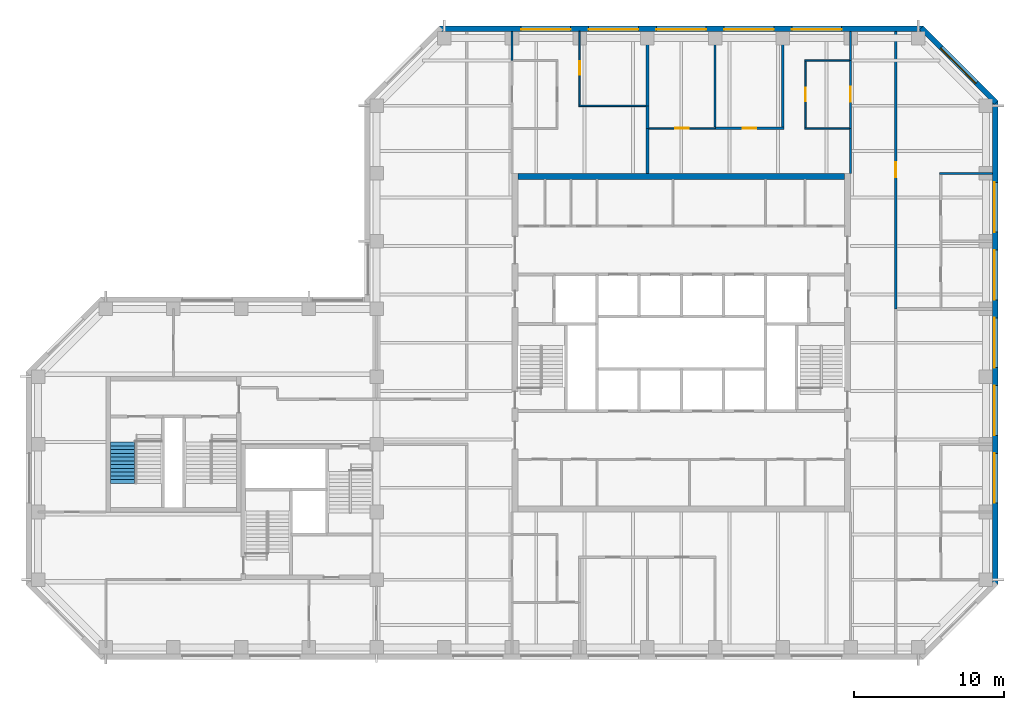
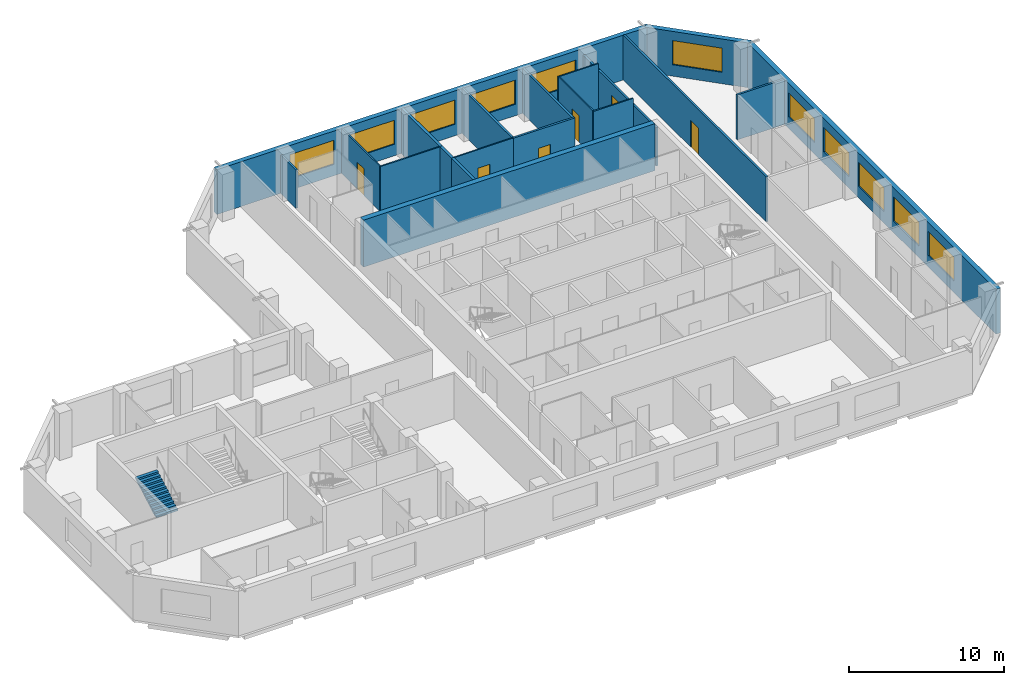
# One storey, part 7 of 9: 22 walls, 11 windows, 6 doors, 1 stair flight, 17 openings, 1 element without a shape of its own.
"""IFC4 building model written with IfcOpenShell, lengths in metres."""

from ifc_helpers import new_model, si_unit, direction, frame, frame_2d, origin, place, context, subcontext, project, spatial, polyline, rectangle, outline, extrude, material, layer, layer_set, constituent, constituent_set, type_object, element, fill, aggregate, save


model = new_model("IFC4")

# Units and contexts
model_context = context("Model", 3, precision=1e-05, world=origin(), true_north=direction((0.0, 1.0)))
body_context = subcontext(model_context, "Body", "Model", "MODEL_VIEW")
ifc_project = project(units=[si_unit("LENGTHUNIT", "METRE"), si_unit("AREAUNIT", "SQUARE_METRE"), si_unit("VOLUMEUNIT", "CUBIC_METRE"), si_unit("PLANEANGLEUNIT", "RADIAN"), si_unit("MASSUNIT", "GRAM", prefix="KILO")], contexts=[model_context])

# Site, building, storey
site_placement = place(None, origin())
site = spatial("IfcSite", under=ifc_project, at=site_placement, CompositionType="ELEMENT")
building_placement = place(site_placement, origin())
building = spatial("IfcBuilding", under=site, at=building_placement, Name="Quoin Convention Tower", CompositionType="ELEMENT")
storey_placement = place(building_placement, frame((0.0, 0.0, 245.199951171875)))
storey = spatial("IfcBuildingStorey", under=building, at=storey_placement, Name="L64", CompositionType="ELEMENT", Elevation=245.199951171875)

# Wall
ifc_material_1 = material(Name="Plasterboard")
ifc_layer_1 = layer(ifc_material_1, 0.012451171875, Name="Finish")
ifc_material_2 = material(Name="Steel stud framing", Category="steel")
ifc_layer_2 = layer(ifc_material_2, 0.125, Name="Structure")
ifc_layer_3 = layer(ifc_material_1, 0.012451171875, Name="Finish")
ifc_layer_set_1 = layer_set([ifc_layer_1, ifc_layer_2, ifc_layer_3], Name="Steel stud framing")
wall_type_1 = type_object("IfcWallType", Name="Acoustic partition 150", PredefinedType="PARTITIONING", material=ifc_layer_set_1)
wall_1_placement = place(storey_placement, frame((73.425048828125, 72.0, 0.0), z_axis=(0.0, 0.0, 1.0), x_axis=(1.0, 0.0, 0.0)))
element("IfcWall", 1, at=wall_1_placement, inside=storey, type_object=wall_type_1, Name="pw-L64-024", PredefinedType="PARTITIONING", context=body_context, shape_type="SweptSolid", body=[
    extrude(rectangle(XDim=3.52490234375, YDim=0.14990234375, at=frame_2d((1.762451171875, 0.0))), origin(), (0.0, 0.0, 1.0), 3.550048828125),
])

# Wall, opening, door
wall_2_placement = place(storey_placement, frame((58.5, 75.0, 0.0), z_axis=(0.0, 0.0, 1.0), x_axis=(1.0, 0.0, 0.0)))
wall_2 = element("IfcWall", 2, at=wall_2_placement, inside=storey, type_object=wall_type_1, Name="pw-L64-027", PredefinedType="PARTITIONING", context=body_context, shape_type="SweptSolid", body=[
    extrude(rectangle(XDim=4.574951171875, YDim=0.14990234375, at=frame_2d((2.28759765625, 0.0))), origin(), (0.0, 0.0, 1.0), 3.550048828125),
])
opening_1_placement = place(wall_2_placement, frame((1.85009765625, 0.0, 0.0)))
opening_1 = element("IfcOpeningElement", 3, at=opening_1_placement, cuts=wall_2, Name="Opening DOH12-08", PredefinedType="OPENING", context=body_context, shape_type="SweptSolid", body=[
    extrude(rectangle(XDim=0.89990234375, YDim=2.10009765625, at=frame_2d((0.449951171875, 1.050048828125))), frame((0.0, 0.0849609375, 0.0), z_axis=(0.0, -1.0, 0.0), x_axis=(1.0, 0.0, 0.0)), (0.0, 0.0, 1.0), 0.169921875),
])
ifc_material_3 = material(Name="Steel door leaf", Category="steel")
door_type_1 = type_object("IfcDoorType", Name="Office door 900 x 2100", OperationType="SINGLE_SWING_RIGHT", PredefinedType="DOOR", material=ifc_material_3)
door_1_placement = place(opening_1_placement, frame((0.89990234375, 0.0, 0.0), z_axis=(0.0, 0.0, 1.0), x_axis=(-1.0, 0.0, 0.0)))
door_1 = element("IfcDoor", 4, at=door_1_placement, inside=storey, type_object=door_type_1, Name="dr-L64-22", OperationType="SINGLE_SWING_LEFT", OverallHeight=2.10009765625, OverallWidth=0.89990234375, PredefinedType="DOOR", context=body_context, shape_type="SweptSolid", body=[
    extrude(rectangle(XDim=0.89990234375, YDim=2.10009765625, at=frame_2d((0.449951171875, 1.050048828125))), frame((0.0, 0.02490234375, 0.0), z_axis=(0.0, -1.0, 0.0), x_axis=(1.0, 0.0, 0.0)), (0.0, 0.0, 1.0), 0.050048828125),
])
fill(opening_1, door_1)

# Walls
for number, where, z_axis, x_axis, name in (
    (5, (58.5, 75.074951171875, 0.0), (0.0, 0.0, 1.0), (0.0, 1.0, 0.0), "pw-L64-073"),
    (6, (63.0, 75.074951171875, 0.0), (0.0, 0.0, 1.0), (0.0, 1.0, 0.0), "pw-L64-074"),
):
    element("IfcWall", number, at=place(storey_placement, frame(where, z_axis=z_axis, x_axis=x_axis)), inside=storey, type_object=wall_type_1, Name=name, PredefinedType="PARTITIONING", context=body_context, shape_type="SweptSolid", body=[
        extrude(rectangle(XDim=6.375, YDim=0.14990234375, at=frame_2d((3.1875, 0.0))), origin(), (0.0, 0.0, 1.0), 3.550048828125),
    ])

# Wall, openings, windows
ifc_material_4 = material(Name="Brick masonry", Category="masonry")
ifc_layer_4 = layer(ifc_material_4, 0.35009765625)
ifc_layer_set_2 = layer_set([ifc_layer_4], Name="Brick masonry")
wall_type_2 = type_object("IfcWallType", Name="Brick facade wall", PredefinedType="STANDARD", material=ifc_layer_set_2)
wall_3_placement = place(storey_placement, frame((77.125, 44.668701171875, 0.0), z_axis=(0.0, 0.0, 1.0), x_axis=(0.0, 1.0, 0.0)))
wall_3 = element("IfcWall", 7, at=wall_3_placement, inside=storey, type_object=wall_type_2, Name="fw-L64-76500_45000", PredefinedType="STANDARD", context=body_context, shape_type="SweptSolid", body=[
    extrude(rectangle(XDim=32.16259765625, YDim=0.35009765625, at=frame_2d((16.081298828125, 0.0))), origin(), (0.0, 0.0, 1.0), 3.525146484375),
])
opening_2_placement = place(wall_3_placement, frame((5.431396484375, 0.0, 0.89990234375)))
opening_2 = element("IfcOpeningElement", 8, at=opening_2_placement, cuts=wall_3, Name="Opening W-02", PredefinedType="OPENING", context=body_context, shape_type="SweptSolid", body=[
    extrude(rectangle(XDim=3.300048828125, YDim=1.89990234375, at=frame_2d((1.64990234375, 0.949951171875))), frame((0.0, 0.18505859375, 0.0), z_axis=(0.0, -1.0, 0.0), x_axis=(1.0, 0.0, 0.0)), (0.0, 0.0, 1.0), 0.3701171875),
])
opening_3_placement = place(wall_3_placement, frame((9.931396484375, 0.0, 0.89990234375)))
opening_3 = element("IfcOpeningElement", 9, at=opening_3_placement, cuts=wall_3, Name="Opening W-02", PredefinedType="OPENING", context=body_context, shape_type="SweptSolid", body=[
    extrude(rectangle(XDim=3.300048828125, YDim=1.89990234375, at=frame_2d((1.64990234375, 0.949951171875))), frame((0.0, 0.18505859375, 0.0), z_axis=(0.0, -1.0, 0.0), x_axis=(1.0, 0.0, 0.0)), (0.0, 0.0, 1.0), 0.3701171875),
])
opening_4_placement = place(wall_3_placement, frame((14.431396484375, 0.0, 0.89990234375)))
opening_4 = element("IfcOpeningElement", 10, at=opening_4_placement, cuts=wall_3, Name="Opening W-02", PredefinedType="OPENING", context=body_context, shape_type="SweptSolid", body=[
    extrude(rectangle(XDim=3.300048828125, YDim=1.89990234375, at=frame_2d((1.64990234375, 0.949951171875))), frame((0.0, 0.18505859375, 0.0), z_axis=(0.0, -1.0, 0.0), x_axis=(1.0, 0.0, 0.0)), (0.0, 0.0, 1.0), 0.3701171875),
])
opening_5_placement = place(wall_3_placement, frame((18.931396484375, 0.0, 0.89990234375)))
opening_5 = element("IfcOpeningElement", 11, at=opening_5_placement, cuts=wall_3, Name="Opening W-02", PredefinedType="OPENING", context=body_context, shape_type="SweptSolid", body=[
    extrude(rectangle(XDim=3.300048828125, YDim=1.89990234375, at=frame_2d((1.64990234375, 0.949951171875))), frame((0.0, 0.18505859375, 0.0), z_axis=(0.0, -1.0, 0.0), x_axis=(1.0, 0.0, 0.0)), (0.0, 0.0, 1.0), 0.3701171875),
])
opening_6_placement = place(wall_3_placement, frame((23.431396484375, 0.0, 0.89990234375)))
opening_6 = element("IfcOpeningElement", 12, at=opening_6_placement, cuts=wall_3, Name="Opening W-02", PredefinedType="OPENING", context=body_context, shape_type="SweptSolid", body=[
    extrude(rectangle(XDim=3.300048828125, YDim=1.89990234375, at=frame_2d((1.64990234375, 0.949951171875))), frame((0.0, 0.18505859375, 0.0), z_axis=(0.0, -1.0, 0.0), x_axis=(1.0, 0.0, 0.0)), (0.0, 0.0, 1.0), 0.3701171875),
])
ifc_material_5 = material(Name="Aluminium", Category="aluminium")
ifc_constituent_1 = constituent(ifc_material_5, Name="Frame")
ifc_material_6 = material(Name="Insulated glass", Category="glass")
ifc_constituent_2 = constituent(ifc_material_6, Name="Glazing")
ifc_constituent_set = constituent_set(constituents=[ifc_constituent_1, ifc_constituent_2], Name="Aluminium")
window_type = type_object("IfcWindowType", Name="Office window", PartitioningType="DOUBLE_PANEL_VERTICAL", PredefinedType="WINDOW", material=ifc_constituent_set)
window_1_placement = place(opening_2_placement, origin())
window_1 = element("IfcWindow", 13, at=window_1_placement, inside=storey, type_object=window_type, Name="win-L64-77125_51750", OverallHeight=1.89990234375, OverallWidth=3.300048828125, PartitioningType="SINGLE_PANEL", PredefinedType="WINDOW", context=body_context, shape_type="SweptSolid", body=[
    extrude(rectangle(XDim=3.300048828125, YDim=1.89990234375, at=frame_2d((1.64990234375, 0.949951171875))), frame((0.0, 0.0849609375, 0.0), z_axis=(0.0, -1.0, 0.0), x_axis=(1.0, 0.0, 0.0)), (0.0, 0.0, 1.0), 0.06005859375),
])
fill(opening_2, window_1)
window_2_placement = place(opening_3_placement, origin())
window_2 = element("IfcWindow", 14, at=window_2_placement, inside=storey, type_object=window_type, Name="win-L64-77125_56250", OverallHeight=1.89990234375, OverallWidth=3.300048828125, PartitioningType="SINGLE_PANEL", PredefinedType="WINDOW", context=body_context, shape_type="SweptSolid", body=[
    extrude(rectangle(XDim=3.300048828125, YDim=1.89990234375, at=frame_2d((1.64990234375, 0.949951171875))), frame((0.0, 0.0849609375, 0.0), z_axis=(0.0, -1.0, 0.0), x_axis=(1.0, 0.0, 0.0)), (0.0, 0.0, 1.0), 0.06005859375),
])
fill(opening_3, window_2)
window_3_placement = place(opening_4_placement, origin())
window_3 = element("IfcWindow", 15, at=window_3_placement, inside=storey, type_object=window_type, Name="win-L64-77125_60750", OverallHeight=1.89990234375, OverallWidth=3.300048828125, PartitioningType="SINGLE_PANEL", PredefinedType="WINDOW", context=body_context, shape_type="SweptSolid", body=[
    extrude(rectangle(XDim=3.300048828125, YDim=1.89990234375, at=frame_2d((1.64990234375, 0.949951171875))), frame((0.0, 0.0849609375, 0.0), z_axis=(0.0, -1.0, 0.0), x_axis=(1.0, 0.0, 0.0)), (0.0, 0.0, 1.0), 0.06005859375),
])
fill(opening_4, window_3)
window_4_placement = place(opening_5_placement, origin())
window_4 = element("IfcWindow", 16, at=window_4_placement, inside=storey, type_object=window_type, Name="win-L64-77125_65250", OverallHeight=1.89990234375, OverallWidth=3.300048828125, PartitioningType="SINGLE_PANEL", PredefinedType="WINDOW", context=body_context, shape_type="SweptSolid", body=[
    extrude(rectangle(XDim=3.300048828125, YDim=1.89990234375, at=frame_2d((1.64990234375, 0.949951171875))), frame((0.0, 0.0849609375, 0.0), z_axis=(0.0, -1.0, 0.0), x_axis=(1.0, 0.0, 0.0)), (0.0, 0.0, 1.0), 0.06005859375),
])
fill(opening_5, window_4)
window_5_placement = place(opening_6_placement, origin())
window_5 = element("IfcWindow", 17, at=window_5_placement, inside=storey, type_object=window_type, Name="win-L64-77125_69750", OverallHeight=1.89990234375, OverallWidth=3.300048828125, PartitioningType="SINGLE_PANEL", PredefinedType="WINDOW", context=body_context, shape_type="SweptSolid", body=[
    extrude(rectangle(XDim=3.300048828125, YDim=1.89990234375, at=frame_2d((1.64990234375, 0.949951171875))), frame((0.0, 0.0849609375, 0.0), z_axis=(0.0, -1.0, 0.0), x_axis=(1.0, 0.0, 0.0)), (0.0, 0.0, 1.0), 0.06005859375),
])
fill(opening_6, window_5)

# Wall, opening, window
wall_4_placement = place(storey_placement, frame((77.17626953125, 76.70751953125, 0.0), z_axis=(0.0, 0.0, 1.0), x_axis=(-0.707106781187, 0.707106781187, 0.0)))
wall_4 = element("IfcWall", 18, at=wall_4_placement, inside=storey, type_object=wall_type_2, Name="fw-L64-76500_76500", PredefinedType="STANDARD", context=body_context, shape_type="SweptSolid", body=[
    extrude(rectangle(XDim=7.02685546875, YDim=0.35009765625, at=frame_2d((3.513427734375, 0.0))), origin(), (0.0, 0.0, 1.0), 3.525146484375),
])
opening_7_placement = place(wall_4_placement, frame((1.86328125, 0.0, 0.89990234375)))
opening_7 = element("IfcOpeningElement", 19, at=opening_7_placement, cuts=wall_4, Name="Opening W-02", PredefinedType="OPENING", context=body_context, shape_type="SweptSolid", body=[
    extrude(rectangle(XDim=3.300048828125, YDim=1.89990234375, at=frame_2d((1.64990234375, 0.949951171875))), frame((0.0, 0.18505859375, 0.0), z_axis=(0.0, -1.0, 0.0), x_axis=(1.0, 0.0, 0.0)), (0.0, 0.0, 1.0), 0.3701171875),
])
window_6_placement = place(opening_7_placement, origin())
window_6 = element("IfcWindow", 20, at=window_6_placement, inside=storey, type_object=window_type, Name="win-L64-74692_79192", OverallHeight=1.89990234375, OverallWidth=3.300048828125, PartitioningType="SINGLE_PANEL", PredefinedType="WINDOW", context=body_context, shape_type="SweptSolid", body=[
    extrude(rectangle(XDim=3.300048828125, YDim=1.89990234375, at=frame_2d((1.64990234375, 0.949951171875))), frame((0.0, 0.0849609375, 0.0), z_axis=(0.0, -1.0, 0.0), x_axis=(1.0, 0.0, 0.0)), (0.0, 0.0, 1.0), 0.06005859375),
])
fill(opening_7, window_6)

# Wall, openings, windows
wall_5_placement = place(storey_placement, frame((72.331298828125, 81.625, 0.0), z_axis=(0.0, 0.0, 1.0), x_axis=(-1.0, 0.0, 0.0)))
wall_5 = element("IfcWall", 21, at=wall_5_placement, inside=storey, type_object=wall_type_2, Name="fw-L64-72000_81000", PredefinedType="STANDARD", context=body_context, shape_type="SweptSolid", body=[
    extrude(rectangle(XDim=32.16259765625, YDim=0.35009765625, at=frame_2d((16.081298828125, 0.0))), origin(), (0.0, 0.0, 1.0), 3.525146484375),
])
opening_8_placement = place(wall_5_placement, frame((5.431396484375, 0.0, 0.89990234375)))
opening_8 = element("IfcOpeningElement", 22, at=opening_8_placement, cuts=wall_5, Name="Opening W-02", PredefinedType="OPENING", context=body_context, shape_type="SweptSolid", body=[
    extrude(rectangle(XDim=3.300048828125, YDim=1.89990234375, at=frame_2d((1.64990234375, 0.949951171875))), frame((0.0, 0.18505859375, 0.0), z_axis=(0.0, -1.0, 0.0), x_axis=(1.0, 0.0, 0.0)), (0.0, 0.0, 1.0), 0.3701171875),
])
opening_9_placement = place(wall_5_placement, frame((9.931396484375, 0.0, 0.89990234375)))
opening_9 = element("IfcOpeningElement", 23, at=opening_9_placement, cuts=wall_5, Name="Opening W-02", PredefinedType="OPENING", context=body_context, shape_type="SweptSolid", body=[
    extrude(rectangle(XDim=3.300048828125, YDim=1.89990234375, at=frame_2d((1.64990234375, 0.949951171875))), frame((0.0, 0.18505859375, 0.0), z_axis=(0.0, -1.0, 0.0), x_axis=(1.0, 0.0, 0.0)), (0.0, 0.0, 1.0), 0.3701171875),
])
opening_10_placement = place(wall_5_placement, frame((14.431396484375, 0.0, 0.89990234375)))
opening_10 = element("IfcOpeningElement", 24, at=opening_10_placement, cuts=wall_5, Name="Opening W-02", PredefinedType="OPENING", context=body_context, shape_type="SweptSolid", body=[
    extrude(rectangle(XDim=3.300048828125, YDim=1.89990234375, at=frame_2d((1.64990234375, 0.949951171875))), frame((0.0, 0.18505859375, 0.0), z_axis=(0.0, -1.0, 0.0), x_axis=(1.0, 0.0, 0.0)), (0.0, 0.0, 1.0), 0.3701171875),
])
opening_11_placement = place(wall_5_placement, frame((18.931396484375, 0.0, 0.89990234375)))
opening_11 = element("IfcOpeningElement", 25, at=opening_11_placement, cuts=wall_5, Name="Opening W-02", PredefinedType="OPENING", context=body_context, shape_type="SweptSolid", body=[
    extrude(rectangle(XDim=3.300048828125, YDim=1.89990234375, at=frame_2d((1.64990234375, 0.949951171875))), frame((0.0, 0.18505859375, 0.0), z_axis=(0.0, -1.0, 0.0), x_axis=(1.0, 0.0, 0.0)), (0.0, 0.0, 1.0), 0.3701171875),
])
opening_12_placement = place(wall_5_placement, frame((23.431396484375, 0.0, 0.89990234375)))
opening_12 = element("IfcOpeningElement", 26, at=opening_12_placement, cuts=wall_5, Name="Opening W-02", PredefinedType="OPENING", context=body_context, shape_type="SweptSolid", body=[
    extrude(rectangle(XDim=3.300048828125, YDim=1.89990234375, at=frame_2d((1.64990234375, 0.949951171875))), frame((0.0, 0.18505859375, 0.0), z_axis=(0.0, -1.0, 0.0), x_axis=(1.0, 0.0, 0.0)), (0.0, 0.0, 1.0), 0.3701171875),
])
window_7_placement = place(opening_8_placement, origin())
window_7 = element("IfcWindow", 27, at=window_7_placement, inside=storey, type_object=window_type, Name="win-L64-65250_81625", OverallHeight=1.89990234375, OverallWidth=3.300048828125, PartitioningType="SINGLE_PANEL", PredefinedType="WINDOW", context=body_context, shape_type="SweptSolid", body=[
    extrude(rectangle(XDim=3.300048828125, YDim=1.89990234375, at=frame_2d((1.64990234375, 0.949951171875))), frame((0.0, 0.0849609375, 0.0), z_axis=(0.0, -1.0, 0.0), x_axis=(1.0, 0.0, 0.0)), (0.0, 0.0, 1.0), 0.06005859375),
])
fill(opening_8, window_7)
window_8_placement = place(opening_9_placement, origin())
window_8 = element("IfcWindow", 28, at=window_8_placement, inside=storey, type_object=window_type, Name="win-L64-60750_81625", OverallHeight=1.89990234375, OverallWidth=3.300048828125, PartitioningType="SINGLE_PANEL", PredefinedType="WINDOW", context=body_context, shape_type="SweptSolid", body=[
    extrude(rectangle(XDim=3.300048828125, YDim=1.89990234375, at=frame_2d((1.64990234375, 0.949951171875))), frame((0.0, 0.0849609375, 0.0), z_axis=(0.0, -1.0, 0.0), x_axis=(1.0, 0.0, 0.0)), (0.0, 0.0, 1.0), 0.06005859375),
])
fill(opening_9, window_8)
window_9_placement = place(opening_10_placement, origin())
window_9 = element("IfcWindow", 29, at=window_9_placement, inside=storey, type_object=window_type, Name="win-L64-56250_81625", OverallHeight=1.89990234375, OverallWidth=3.300048828125, PartitioningType="SINGLE_PANEL", PredefinedType="WINDOW", context=body_context, shape_type="SweptSolid", body=[
    extrude(rectangle(XDim=3.300048828125, YDim=1.89990234375, at=frame_2d((1.64990234375, 0.949951171875))), frame((0.0, 0.0849609375, 0.0), z_axis=(0.0, -1.0, 0.0), x_axis=(1.0, 0.0, 0.0)), (0.0, 0.0, 1.0), 0.06005859375),
])
fill(opening_10, window_9)
window_10_placement = place(opening_11_placement, origin())
window_10 = element("IfcWindow", 30, at=window_10_placement, inside=storey, type_object=window_type, Name="win-L64-51750_81625", OverallHeight=1.89990234375, OverallWidth=3.300048828125, PartitioningType="SINGLE_PANEL", PredefinedType="WINDOW", context=body_context, shape_type="SweptSolid", body=[
    extrude(rectangle(XDim=3.300048828125, YDim=1.89990234375, at=frame_2d((1.64990234375, 0.949951171875))), frame((0.0, 0.0849609375, 0.0), z_axis=(0.0, -1.0, 0.0), x_axis=(1.0, 0.0, 0.0)), (0.0, 0.0, 1.0), 0.06005859375),
])
fill(opening_11, window_10)
window_11_placement = place(opening_12_placement, origin())
window_11 = element("IfcWindow", 31, at=window_11_placement, inside=storey, type_object=window_type, Name="win-L64-47250_81625", OverallHeight=1.89990234375, OverallWidth=3.300048828125, PartitioningType="SINGLE_PANEL", PredefinedType="WINDOW", context=body_context, shape_type="SweptSolid", body=[
    extrude(rectangle(XDim=3.300048828125, YDim=1.89990234375, at=frame_2d((1.64990234375, 0.949951171875))), frame((0.0, 0.0849609375, 0.0), z_axis=(0.0, -1.0, 0.0), x_axis=(1.0, 0.0, 0.0)), (0.0, 0.0, 1.0), 0.06005859375),
])
fill(opening_12, window_11)

# Wall, opening, door
ifc_layer_5 = layer(ifc_material_1, 0.012451171875, Name="Finish")
ifc_layer_6 = layer(ifc_material_2, 0.125, Name="Structure")
ifc_layer_7 = layer(ifc_material_1, 0.012451171875, Name="Finish")
ifc_layer_set_3 = layer_set([ifc_layer_5, ifc_layer_6, ifc_layer_7], Name="Steel stud framing")
wall_type_3 = type_object("IfcWallType", Name="Corridor wall 150", PredefinedType="PARTITIONING", material=ifc_layer_set_3)
wall_6_placement = place(storey_placement, frame((70.5, 63.0, 0.0), z_axis=(0.0, 0.0, 1.0), x_axis=(0.0, 1.0, 0.0)))
wall_6 = element("IfcWall", 32, at=wall_6_placement, inside=storey, type_object=wall_type_3, Name="pw-L64-062", PredefinedType="PARTITIONING", context=body_context, shape_type="SweptSolid", body=[
    extrude(rectangle(XDim=18.449951171875, YDim=0.14990234375, at=frame_2d((9.22509765625, 0.0))), origin(), (0.0, 0.0, 1.0), 3.550048828125),
])
opening_13_placement = place(wall_6_placement, frame((8.75, 0.0, 0.0)))
opening_13 = element("IfcOpeningElement", 33, at=opening_13_placement, cuts=wall_6, Name="Opening DOH12-15", PredefinedType="OPENING", context=body_context, shape_type="SweptSolid", body=[
    extrude(rectangle(XDim=1.0, YDim=2.10009765625, at=frame_2d((0.5, 1.050048828125))), frame((0.0, 0.0849609375, 0.0), z_axis=(0.0, -1.0, 0.0), x_axis=(1.0, 0.0, 0.0)), (0.0, 0.0, 1.0), 0.169921875),
])
door_type_2 = type_object("IfcDoorType", Name="Tenancy entrance door 1000 x 2100", OperationType="DOUBLE_DOOR_SINGLE_SWING", PredefinedType="DOOR", material=ifc_material_3)
door_2_placement = place(opening_13_placement, frame((1.0, 0.0, 0.0), z_axis=(0.0, 0.0, 1.0), x_axis=(-1.0, 0.0, 0.0)))
door_2 = element("IfcDoor", 34, at=door_2_placement, inside=storey, type_object=door_type_2, Name="dr-L64-27", OperationType="DOUBLE_DOOR_SINGLE_SWING", OverallHeight=2.10009765625, OverallWidth=1.0, PredefinedType="DOOR", context=body_context, shape_type="SweptSolid", body=[
    extrude(rectangle(XDim=1.0, YDim=2.10009765625, at=frame_2d((0.5, 1.050048828125))), frame((0.0, 0.02490234375, 0.0), z_axis=(0.0, -1.0, 0.0), x_axis=(1.0, 0.0, 0.0)), (0.0, 0.0, 1.0), 0.050048828125),
])
fill(opening_13, door_2)

# Wall
ifc_layer_8 = layer(ifc_material_1, 0.012451171875, Name="Finish")
ifc_layer_9 = layer(ifc_material_2, 0.125, Name="Structure")
ifc_layer_10 = layer(ifc_material_1, 0.012451171875, Name="Finish")
ifc_layer_set_4 = layer_set([ifc_layer_8, ifc_layer_9, ifc_layer_10], Name="Steel stud framing")
wall_type_4 = type_object("IfcWallType", Name="Corridor wall 150 under beam 528", PredefinedType="PARTITIONING", material=ifc_layer_set_4)
wall_7_placement = place(storey_placement, frame((67.5, 72.0, 0.0), z_axis=(0.0, 0.0, 1.0), x_axis=(0.0, 1.0, 0.0)))
element("IfcWall", 35, at=wall_7_placement, inside=storey, type_object=wall_type_4, Name="pw-L64-067", PredefinedType="PARTITIONING", context=body_context, shape_type="SweptSolid", body=[
    extrude(rectangle(XDim=3.0, YDim=0.14990234375, at=frame_2d((1.5, 0.0))), origin(), (0.0, 0.0, 1.0), 3.02197265625),
])

# Wall, opening, door
wall_8_placement = place(storey_placement, frame((67.5, 75.0, 0.0), z_axis=(0.0, 0.0, 1.0), x_axis=(0.0, 1.0, 0.0)))
wall_8 = element("IfcWall", 36, at=wall_8_placement, inside=storey, type_object=wall_type_4, Name="pw-L64-070", PredefinedType="PARTITIONING", context=body_context, shape_type="SweptSolid", body=[
    extrude(rectangle(XDim=4.5, YDim=0.14990234375, at=frame_2d((2.25, 0.0))), origin(), (0.0, 0.0, 1.0), 3.02197265625),
])
opening_14_placement = place(wall_8_placement, frame((1.75, 0.0, 0.0)))
opening_14 = element("IfcOpeningElement", 37, at=opening_14_placement, cuts=wall_8, Name="Opening DOH12-19", PredefinedType="OPENING", context=body_context, shape_type="SweptSolid", body=[
    extrude(rectangle(XDim=1.0, YDim=2.10009765625, at=frame_2d((0.5, 1.050048828125))), frame((0.0, 0.0849609375, 0.0), z_axis=(0.0, -1.0, 0.0), x_axis=(1.0, 0.0, 0.0)), (0.0, 0.0, 1.0), 0.169921875),
])
door_3_placement = place(opening_14_placement, frame((1.0, 0.0, 0.0), z_axis=(0.0, 0.0, 1.0), x_axis=(-1.0, 0.0, 0.0)))
door_3 = element("IfcDoor", 38, at=door_3_placement, inside=storey, type_object=door_type_2, Name="dr-L64-19", OperationType="DOUBLE_DOOR_SINGLE_SWING", OverallHeight=2.10009765625, OverallWidth=1.0, PredefinedType="DOOR", context=body_context, shape_type="SweptSolid", body=[
    extrude(rectangle(XDim=1.0, YDim=2.10009765625, at=frame_2d((0.5, 1.050048828125))), frame((0.0, 0.02490234375, 0.0), z_axis=(0.0, -1.0, 0.0), x_axis=(1.0, 0.0, 0.0)), (0.0, 0.0, 1.0), 0.050048828125),
])
fill(opening_14, door_3)

# Walls
for number, where, z_axis, x_axis, name in (
    (39, (45.0, 79.5, 0.0), (0.0, 0.0, 1.0), (0.0, 1.0, 0.0), "pw-L64-077"),
    (40, (67.5, 79.5, 0.0), (0.0, 0.0, 1.0), (0.0, 1.0, 0.0), "pw-L64-078"),
):
    element("IfcWall", number, at=place(storey_placement, frame(where, z_axis=z_axis, x_axis=x_axis)), inside=storey, type_object=wall_type_4, Name=name, PredefinedType="PARTITIONING", context=body_context, shape_type="SweptSolid", body=[
        extrude(rectangle(XDim=1.949951171875, YDim=0.14990234375, at=frame_2d((0.97509765625, 0.0))), origin(), (0.0, 0.0, 1.0), 3.02197265625),
    ])
ifc_material_7 = material(Name="Concrete C50", Category="concrete")
ifc_layer_11 = layer(ifc_material_7, 0.39990234375)
ifc_layer_set_5 = layer_set([ifc_layer_11], Name="Concrete C50")
wall_type_5 = type_object("IfcWallType", Name="RC CORE WALL 400 C50", PredefinedType="SHEAR", material=ifc_layer_set_5)
wall_9_placement = place(storey_placement, frame((45.39990234375, 71.800048828125, 0.0), z_axis=(0.0, 0.0, 1.0), x_axis=(1.0, 0.0, 0.0)))
element("IfcWall", 41, at=wall_9_placement, inside=storey, type_object=wall_type_5, Name="cwl-C1-L64-N", PredefinedType="SHEAR", context=body_context, shape_type="SweptSolid", body=[
    extrude(rectangle(XDim=21.7001953125, YDim=0.39990234375, at=frame_2d((10.85009765625, 0.0))), origin(), (0.0, 0.0, 1.0), 3.699951171875),
])

# Wall, opening, door
ifc_layer_12 = layer(ifc_material_1, 0.012451171875, Name="Finish")
ifc_layer_13 = layer(ifc_material_2, 0.074951171875, Name="Structure")
ifc_layer_14 = layer(ifc_material_1, 0.012451171875, Name="Finish")
ifc_layer_set_6 = layer_set([ifc_layer_12, ifc_layer_13, ifc_layer_14], Name="Steel stud framing")
wall_type_6 = type_object("IfcWallType", Name="Stud partition 100", PredefinedType="PARTITIONING", material=ifc_layer_set_6)
wall_10_placement = place(storey_placement, frame((54.10009765625, 75.0, 0.0), z_axis=(0.0, 0.0, 1.0), x_axis=(1.0, 0.0, 0.0)))
wall_10 = element("IfcWall", 42, at=wall_10_placement, inside=storey, type_object=wall_type_6, Name="pw-L64-026", PredefinedType="PARTITIONING", context=body_context, shape_type="SweptSolid", body=[
    extrude(rectangle(XDim=4.39990234375, YDim=0.10009765625, at=frame_2d((2.199951171875, 0.0))), origin(), (0.0, 0.0, 1.0), 3.550048828125),
])
opening_15_placement = place(wall_10_placement, frame((1.75, 0.0, 0.0)))
opening_15 = element("IfcOpeningElement", 43, at=opening_15_placement, cuts=wall_10, Name="Opening DOH12-07", PredefinedType="OPENING", context=body_context, shape_type="SweptSolid", body=[
    extrude(rectangle(XDim=0.89990234375, YDim=2.10009765625, at=frame_2d((0.449951171875, 1.050048828125))), frame((0.0, 0.06005859375, 0.0), z_axis=(0.0, -1.0, 0.0), x_axis=(1.0, 0.0, 0.0)), (0.0, 0.0, 1.0), 0.1201171875),
])
door_4_placement = place(opening_15_placement, frame((0.89990234375, 0.0, 0.0), z_axis=(0.0, 0.0, 1.0), x_axis=(-1.0, 0.0, 0.0)))
door_4 = element("IfcDoor", 44, at=door_4_placement, inside=storey, type_object=door_type_1, Name="dr-L64-21", OperationType="SINGLE_SWING_LEFT", OverallHeight=2.10009765625, OverallWidth=0.89990234375, PredefinedType="DOOR", context=body_context, shape_type="SweptSolid", body=[
    extrude(rectangle(XDim=0.89990234375, YDim=2.10009765625, at=frame_2d((0.449951171875, 1.050048828125))), frame((0.0, 0.02490234375, 0.0), z_axis=(0.0, -1.0, 0.0), x_axis=(1.0, 0.0, 0.0)), (0.0, 0.0, 1.0), 0.050048828125),
])
fill(opening_15, door_4)

# Walls
wall_11_placement = place(storey_placement, frame((64.449951171875, 75.0, 0.0), z_axis=(0.0, 0.0, 1.0), x_axis=(1.0, 0.0, 0.0)))
element("IfcWall", 45, at=wall_11_placement, inside=storey, type_object=wall_type_6, Name="pw-L64-028", PredefinedType="PARTITIONING", context=body_context, shape_type="SweptSolid", body=[
    extrude(rectangle(XDim=2.97509765625, YDim=0.10009765625, at=frame_2d((1.487548828125, 0.0))), origin(), (0.0, 0.0, 1.0), 3.550048828125),
])
wall_12_placement = place(storey_placement, frame((49.449951171875, 76.5, 0.0), z_axis=(0.0, 0.0, 1.0), x_axis=(1.0, 0.0, 0.0)))
element("IfcWall", 46, at=wall_12_placement, inside=storey, type_object=wall_type_6, Name="pw-L64-029", PredefinedType="PARTITIONING", context=body_context, shape_type="SweptSolid", body=[
    extrude(rectangle(XDim=4.449951171875, YDim=0.10009765625, at=frame_2d((2.22509765625, 0.0))), origin(), (0.0, 0.0, 1.0), 3.550048828125),
])
wall_13_placement = place(storey_placement, frame((64.449951171875, 79.5, 0.0), z_axis=(0.0, 0.0, 1.0), x_axis=(1.0, 0.0, 0.0)))
element("IfcWall", 47, at=wall_13_placement, inside=storey, type_object=wall_type_6, Name="pw-L64-031", PredefinedType="PARTITIONING", context=body_context, shape_type="SweptSolid", body=[
    extrude(rectangle(XDim=2.97509765625, YDim=0.10009765625, at=frame_2d((1.487548828125, 0.0))), origin(), (0.0, 0.0, 1.0), 3.550048828125),
])

# Wall, opening, door
wall_14_placement = place(storey_placement, frame((64.5, 75.050048828125, 0.0), z_axis=(0.0, 0.0, 1.0), x_axis=(0.0, 1.0, 0.0)))
wall_14 = element("IfcWall", 48, at=wall_14_placement, inside=storey, type_object=wall_type_6, Name="pw-L64-072", PredefinedType="PARTITIONING", context=body_context, shape_type="SweptSolid", body=[
    extrude(rectangle(XDim=4.39990234375, YDim=0.10009765625, at=frame_2d((2.199951171875, 0.0))), origin(), (0.0, 0.0, 1.0), 3.550048828125),
])
opening_16_placement = place(wall_14_placement, frame((1.75, 0.0, 0.0)))
opening_16 = element("IfcOpeningElement", 49, at=opening_16_placement, cuts=wall_14, Name="Opening DOH12-21", PredefinedType="OPENING", context=body_context, shape_type="SweptSolid", body=[
    extrude(rectangle(XDim=0.89990234375, YDim=2.10009765625, at=frame_2d((0.449951171875, 1.050048828125))), frame((0.0, 0.06005859375, 0.0), z_axis=(0.0, -1.0, 0.0), x_axis=(1.0, 0.0, 0.0)), (0.0, 0.0, 1.0), 0.1201171875),
])
door_5_placement = place(opening_16_placement, origin())
door_5 = element("IfcDoor", 50, at=door_5_placement, inside=storey, type_object=door_type_1, Name="dr-L64-20", OperationType="SINGLE_SWING_RIGHT", OverallHeight=2.10009765625, OverallWidth=0.89990234375, PredefinedType="DOOR", context=body_context, shape_type="SweptSolid", body=[
    extrude(rectangle(XDim=0.89990234375, YDim=2.10009765625, at=frame_2d((0.449951171875, 1.050048828125))), frame((0.0, 0.02490234375, 0.0), z_axis=(0.0, -1.0, 0.0), x_axis=(1.0, 0.0, 0.0)), (0.0, 0.0, 1.0), 0.050048828125),
])
fill(opening_16, door_5)

wall_15_placement = place(storey_placement, frame((49.5, 76.550048828125, 0.0), z_axis=(0.0, 0.0, 1.0), x_axis=(0.0, 1.0, 0.0)))
wall_15 = element("IfcWall", 51, at=wall_15_placement, inside=storey, type_object=wall_type_6, Name="pw-L64-076", PredefinedType="PARTITIONING", context=body_context, shape_type="SweptSolid", body=[
    extrude(rectangle(XDim=4.89990234375, YDim=0.10009765625, at=frame_2d((2.449951171875, 0.0))), origin(), (0.0, 0.0, 1.0), 3.550048828125),
])
opening_17_placement = place(wall_15_placement, frame((2.0, 0.0, 0.0)))
opening_17 = element("IfcOpeningElement", 52, at=opening_17_placement, cuts=wall_15, Name="Opening DOH12-22", PredefinedType="OPENING", context=body_context, shape_type="SweptSolid", body=[
    extrude(rectangle(XDim=0.89990234375, YDim=2.10009765625, at=frame_2d((0.449951171875, 1.050048828125))), frame((0.0, 0.06005859375, 0.0), z_axis=(0.0, -1.0, 0.0), x_axis=(1.0, 0.0, 0.0)), (0.0, 0.0, 1.0), 0.1201171875),
])
door_6_placement = place(opening_17_placement, origin())
door_6 = element("IfcDoor", 53, at=door_6_placement, inside=storey, type_object=door_type_1, Name="dr-L64-18", OperationType="SINGLE_SWING_RIGHT", OverallHeight=2.10009765625, OverallWidth=0.89990234375, PredefinedType="DOOR", context=body_context, shape_type="SweptSolid", body=[
    extrude(rectangle(XDim=0.89990234375, YDim=2.10009765625, at=frame_2d((0.449951171875, 1.050048828125))), frame((0.0, 0.02490234375, 0.0), z_axis=(0.0, -1.0, 0.0), x_axis=(1.0, 0.0, 0.0)), (0.0, 0.0, 1.0), 0.050048828125),
])
fill(opening_17, door_6)

# Walls
ifc_layer_15 = layer(ifc_material_1, 0.012451171875, Name="Finish")
ifc_layer_16 = layer(ifc_material_2, 0.175048828125, Name="Structure")
ifc_layer_17 = layer(ifc_material_1, 0.012451171875, Name="Finish")
ifc_layer_set_7 = layer_set([ifc_layer_15, ifc_layer_16, ifc_layer_17], Name="Steel stud framing")
wall_type_7 = type_object("IfcWallType", Name="Tenancy demising wall 200", PredefinedType="PARTITIONING", material=ifc_layer_set_7)
wall_16_placement = place(storey_placement, frame((54.0, 72.0, 0.0), z_axis=(0.0, 0.0, 1.0), x_axis=(0.0, 1.0, 0.0)))
element("IfcWall", 54, at=wall_16_placement, inside=storey, type_object=wall_type_7, Name="pw-L64-066", PredefinedType="PARTITIONING", context=body_context, shape_type="SweptSolid", body=[
    extrude(rectangle(XDim=3.0, YDim=0.199951171875, at=frame_2d((1.5, 0.0))), origin(), (0.0, 0.0, 1.0), 3.550048828125),
])
wall_17_placement = place(storey_placement, frame((54.0, 75.0, 0.0), z_axis=(0.0, 0.0, 1.0), x_axis=(0.0, 1.0, 0.0)))
element("IfcWall", 55, at=wall_17_placement, inside=storey, type_object=wall_type_7, Name="pw-L64-069", PredefinedType="PARTITIONING", context=body_context, shape_type="SweptSolid", body=[
    extrude(rectangle(XDim=1.5, YDim=0.199951171875, at=frame_2d((0.75, 0.0))), origin(), (0.0, 0.0, 1.0), 3.550048828125),
])
wall_18_placement = place(storey_placement, frame((54.0, 76.5, 0.0), z_axis=(0.0, 0.0, 1.0), x_axis=(0.0, 1.0, 0.0)))
element("IfcWall", 56, at=wall_18_placement, inside=storey, type_object=wall_type_7, Name="pw-L64-075", PredefinedType="PARTITIONING", context=body_context, shape_type="SweptSolid", body=[
    extrude(rectangle(XDim=4.949951171875, YDim=0.199951171875, at=frame_2d((2.47509765625, 0.0))), origin(), (0.0, 0.0, 1.0), 3.550048828125),
])

# Stair, stair flight
ifc_material_8 = material(Name="Concrete C40", Category="concrete")
stair_type = type_object("IfcStairType", Name="Exit stair two-flight 1600", PredefinedType="HALF_TURN_STAIR", material=ifc_material_8)
stair_placement = place(storey_placement, origin())
stair = element("IfcStair", 57, at=stair_placement, inside=storey, type_object=stair_type, Name="SD11 L64", PredefinedType="HALF_TURN_STAIR")
stair_flight_type = type_object("IfcStairFlightType", Name="Stair flight 1600", PredefinedType="STRAIGHT", material=ifc_material_8)
stair_flight_placement = place(storey_placement, frame((19.125, 51.39990234375, 1.992431640625), z_axis=(0.0, 0.0, 1.0), x_axis=(0.0, 1.0, 0.0)))
stair_flight = element("IfcStairFlight", 58, at=stair_flight_placement, type_object=stair_flight_type, Name="ST11 flight 2", NumberOfRisers=12, NumberOfTreads=11, PredefinedType="STRAIGHT", RiserHeight=0.142307692, TreadLength=0.25, context=body_context, shape_type="SweptSolid", body=[
    extrude(outline(polyline([(0.0, 0.0), (0.0, 0.142333984375), (0.25, 0.142333984375), (0.25, 0.28466796875), (0.5, 0.28466796875), (0.5, 0.427001953125), (0.75, 0.427001953125), (0.75, 0.5693359375), (1.0, 0.5693359375), (1.0, 0.71142578125), (1.25, 0.71142578125), (1.25, 0.853759765625), (1.5, 0.853759765625), (1.5, 0.99609375), (1.75, 0.99609375), (1.75, 1.138427734375), (2.0, 1.138427734375), (2.0, 1.28076171875), (2.25, 1.28076171875), (2.25, 1.423095703125), (2.5, 1.423095703125), (2.5, 1.5654296875), (2.75, 1.5654296875), (2.75, 1.707763671875), (2.75, 1.42724609375), (0.242919921875, 0.0), (0.0, 0.0)])), frame((0.0, 0.800048828125, 0.0), z_axis=(0.0, -1.0, 0.0), x_axis=(1.0, 0.0, 0.0)), (0.0, 0.0, 1.0), 1.60009765625),
])
aggregate(stair, [stair_flight])

save(model, "model.ifc")
